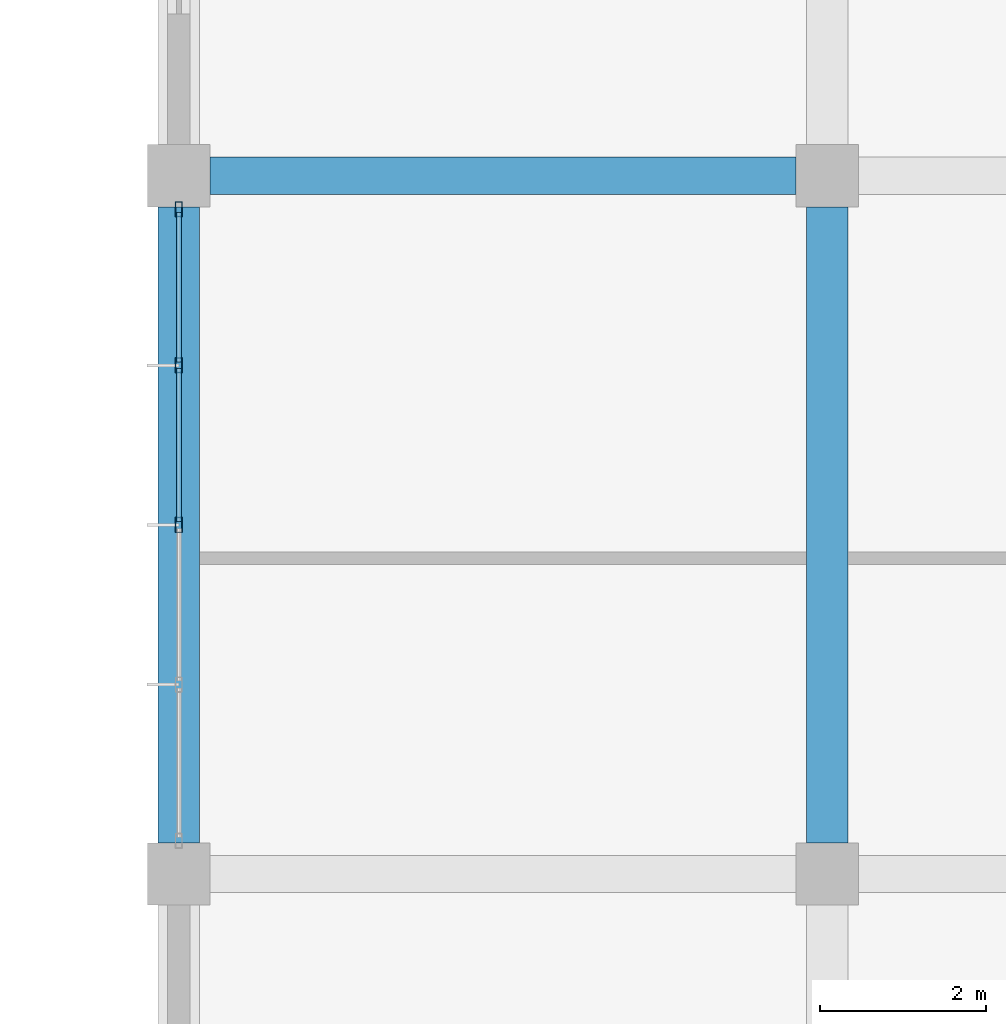
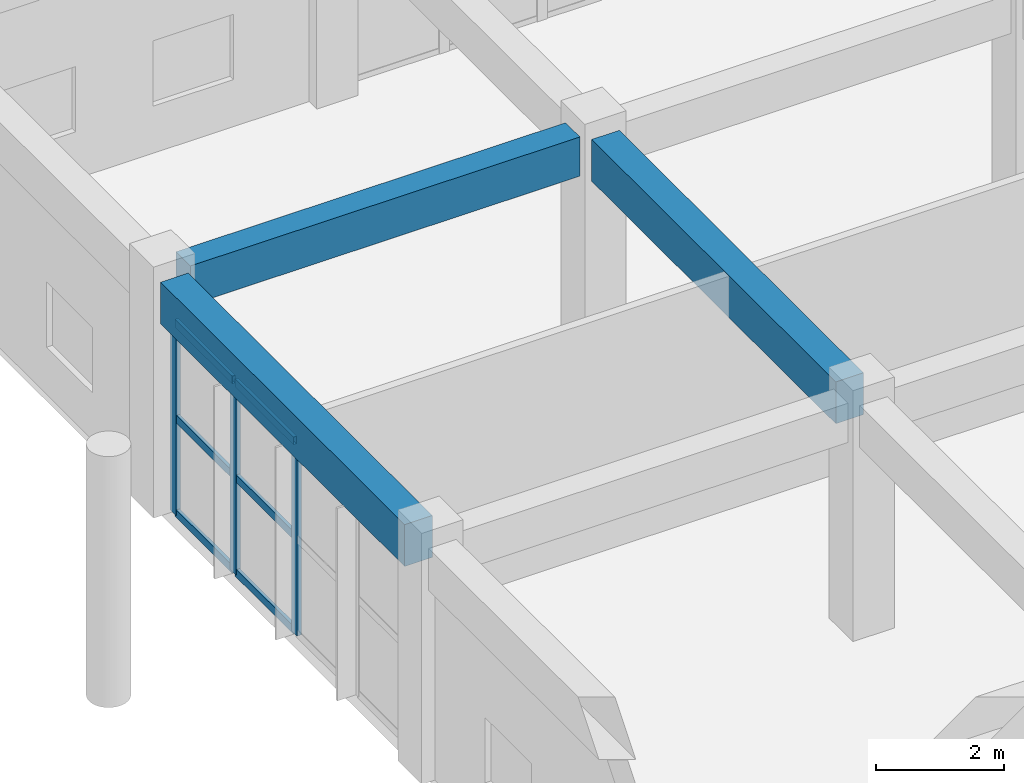
# One storey, part 70 of 175: 9 members, 3 beams, 1 element without a shape of its own.
"""IFC4 building model written with IfcOpenShell, lengths in metres."""

from ifc_helpers import new_model, si_unit, direction, frame, origin, origin_2d, place, context, subcontext, project, spatial, rectangle, hollow_rectangle, extrude, material, layer, layer_set, material_profile, profile_set, type_object, element, aggregate, save


model = new_model("IFC4")

# Units and contexts
model_context = context("Model", 3, precision=1e-05, world=origin(), true_north=direction((0.0, 1.0)))
body_context = subcontext(model_context, "Body", "Model", "MODEL_VIEW")
ifc_project = project(units=[si_unit("LENGTHUNIT", "METRE"), si_unit("AREAUNIT", "SQUARE_METRE"), si_unit("VOLUMEUNIT", "CUBIC_METRE"), si_unit("PLANEANGLEUNIT", "RADIAN"), si_unit("MASSUNIT", "GRAM", prefix="KILO")], contexts=[model_context])

# Site, building, storey
site_placement = place(None, origin())
site = spatial("IfcSite", under=ifc_project, at=site_placement, CompositionType="ELEMENT")
building_placement = place(site_placement, origin())
building = spatial("IfcBuilding", under=site, at=building_placement, Name="Zizhar Promenade General Hospital", CompositionType="ELEMENT")
storey_placement = place(building_placement, frame((0.0, 0.0, 4.800048828125)))
storey = spatial("IfcBuildingStorey", under=building, at=storey_placement, Name="L01", CompositionType="ELEMENT", Elevation=4.800048828125)

# Beams
ifc_material_1 = material(Name="Concrete C35/45", Category="concrete")
ifc_material_profile_1 = material_profile(ifc_material_1, rectangle(XDim=0.449951171875, YDim=0.75, at=origin_2d()))
ifc_profile_set_1 = profile_set([ifc_material_profile_1], Name="Concrete C35/45")
beam_type_1 = type_object("IfcBeamType", Name="BM-RC-450x750", PredefinedType="BEAM", material=ifc_profile_set_1)
beam_placement = place(storey_placement, frame((47.175048828125, 126.0, 4.094970703125), z_axis=(1.0, 0.0, 0.0), x_axis=(0.0, 1.0, 0.0)))
element("IfcBeam", 1, at=beam_placement, inside=storey, type_object=beam_type_1, Name="Grid Beam X L01 (6-15)", PredefinedType="BEAM", context=body_context, shape_type="SweptSolid", body=[
    extrude(rectangle(XDim=0.449951171875, YDim=0.75, at=origin_2d()), origin(), (0.0, 0.0, 1.0), 7.050048828125),
])
ifc_material_2 = material(Name="Concrete C35/45", Category="concrete")
ifc_material_profile_2 = material_profile(ifc_material_2, rectangle(XDim=0.5, YDim=0.800048828125, at=origin_2d()))
ifc_profile_set_2 = profile_set([ifc_material_profile_2], Name="Concrete C35/45")
beam_type_2 = type_object("IfcBeamType", Name="BM-RC-500x800", PredefinedType="BEAM", material=ifc_profile_set_2)
for number, where, z_axis, x_axis, name in (
    (2, (46.800048828125, 117.97509765625, 4.070068359375), (0.0, 1.0, 0.0), (-1.0, 0.0, 0.0), "Grid Beam Y L01 (6-14)"),
    (3, (54.60009765625, 117.97509765625, 4.070068359375), (0.0, 1.0, 0.0), (-1.0, 0.0, 0.0), "Grid Beam Y L01 (7-14)"),
):
    element("IfcBeam", number, at=place(storey_placement, frame(where, z_axis=z_axis, x_axis=x_axis)), inside=storey, type_object=beam_type_2, Name=name, PredefinedType="BEAM", context=body_context, shape_type="SweptSolid", body=[
        extrude(rectangle(XDim=0.5, YDim=0.800048828125, at=origin_2d()), origin(), (0.0, 0.0, 1.0), 7.64990234375),
    ])

# Curtain wall, members
ifc_material_3 = material(Name="Anodised aluminium 6063-T6 and low-E glass", Category="aluminium")
ifc_layer = layer(ifc_material_3, 0.159912109375)
ifc_layer_set = layer_set([ifc_layer], Name="Anodised aluminium 6063-T6 and low-E glass")
curtain_wall_type = type_object("IfcCurtainWallType", Name="CW-DT-MOD1", PredefinedType="NOTDEFINED", material=ifc_layer_set)
curtain_wall_placement = place(storey_placement, origin())
curtain_wall = element("IfcCurtainWall", 4, at=curtain_wall_placement, inside=storey, type_object=curtain_wall_type, Name="Surgical West Glazed Curtain Wall L01-14", PredefinedType="NOTDEFINED")
ifc_material_4 = material(Name="Anodised aluminium 6063-T6", Category="aluminium")
ifc_material_profile_3 = material_profile(ifc_material_4, hollow_rectangle(XDim=0.080078125, YDim=0.179931640625, WallThickness=0.0048828125, at=origin_2d()))
ifc_profile_set_3 = profile_set([ifc_material_profile_3], Name="Anodised aluminium 6063-T6")
member_type_1 = type_object("IfcMemberType", Name="CWM-ALU-180x80", PredefinedType="MULLION", material=ifc_profile_set_3)
member_1_placement = place(storey_placement, frame((46.800048828125, 121.800048828125, 0.0), z_axis=(0.0, 0.0, 1.0), x_axis=(-1.0, 0.0, 0.0)))
member_1 = element("IfcMember", 5, at=member_1_placement, type_object=member_type_1, Name="CW-07 mullion 3", PredefinedType="MULLION", context=body_context, shape_type="SweptSolid", body=[
    extrude(hollow_rectangle(XDim=0.080078125, YDim=0.179931640625, WallThickness=0.0048828125, at=origin_2d()), origin(), (0.0, 0.0, 1.0), 3.679931640625),
])
member_2_placement = place(storey_placement, frame((46.800048828125, 123.719970703125, 0.0), z_axis=(0.0, 0.0, 1.0), x_axis=(-1.0, 0.0, 0.0)))
member_2 = element("IfcMember", 6, at=member_2_placement, type_object=member_type_1, Name="CW-07 mullion 4", PredefinedType="MULLION", context=body_context, shape_type="SweptSolid", body=[
    extrude(hollow_rectangle(XDim=0.080078125, YDim=0.179931640625, WallThickness=0.0048828125, at=origin_2d()), origin(), (0.0, 0.0, 1.0), 3.679931640625),
])
member_3_placement = place(storey_placement, frame((46.800048828125, 125.60009765625, 0.0), z_axis=(0.0, 0.0, 1.0), x_axis=(-1.0, 0.0, 0.0)))
member_3 = element("IfcMember", 7, at=member_3_placement, type_object=member_type_1, Name="CW-07 mullion 5", PredefinedType="MULLION", context=body_context, shape_type="SweptSolid", body=[
    extrude(hollow_rectangle(XDim=0.080078125, YDim=0.179931640625, WallThickness=0.0048828125, at=origin_2d()), origin(), (0.0, 0.0, 1.0), 3.679931640625),
])
ifc_material_5 = material(Name="Anodised aluminium 6063-T6", Category="aluminium")
ifc_material_profile_4 = material_profile(ifc_material_5, hollow_rectangle(XDim=0.06005859375, YDim=0.14990234375, WallThickness=0.00390625, at=origin_2d()))
ifc_profile_set_4 = profile_set([ifc_material_profile_4], Name="Anodised aluminium 6063-T6")
member_type_2 = type_object("IfcMemberType", Name="CWT-ALU-150x60", PredefinedType="USERDEFINED", material=ifc_profile_set_4)
member_4_placement = place(storey_placement, frame((46.800048828125, 121.840087890625, 0.030029296875), z_axis=(0.0, 1.0, 0.0), x_axis=(-1.0, 0.0, 0.0)))
member_4 = element("IfcMember", 8, at=member_4_placement, type_object=member_type_2, Name="CW-07 transom 3.1", ObjectType="TRANSOM", PredefinedType="USERDEFINED", context=body_context, shape_type="SweptSolid", body=[
    extrude(hollow_rectangle(XDim=0.06005859375, YDim=0.14990234375, WallThickness=0.00390625, at=origin_2d()), origin(), (0.0, 0.0, 1.0), 1.83984375),
])
member_5_placement = place(storey_placement, frame((46.800048828125, 121.840087890625, 1.83984375), z_axis=(0.0, 1.0, 0.0), x_axis=(-1.0, 0.0, 0.0)))
member_5 = element("IfcMember", 9, at=member_5_placement, type_object=member_type_2, Name="CW-07 transom 3.2", ObjectType="TRANSOM", PredefinedType="USERDEFINED", context=body_context, shape_type="SweptSolid", body=[
    extrude(hollow_rectangle(XDim=0.06005859375, YDim=0.14990234375, WallThickness=0.00390625, at=origin_2d()), origin(), (0.0, 0.0, 1.0), 1.83984375),
])
member_6_placement = place(storey_placement, frame((46.800048828125, 121.840087890625, 3.64990234375), z_axis=(0.0, 1.0, 0.0), x_axis=(-1.0, 0.0, 0.0)))
member_6 = element("IfcMember", 10, at=member_6_placement, type_object=member_type_2, Name="CW-07 transom 3.3", ObjectType="TRANSOM", PredefinedType="USERDEFINED", context=body_context, shape_type="SweptSolid", body=[
    extrude(hollow_rectangle(XDim=0.06005859375, YDim=0.14990234375, WallThickness=0.00390625, at=origin_2d()), origin(), (0.0, 0.0, 1.0), 1.83984375),
])
member_7_placement = place(storey_placement, frame((46.800048828125, 123.760009765625, 0.030029296875), z_axis=(0.0, 1.0, 0.0), x_axis=(-1.0, 0.0, 0.0)))
member_7 = element("IfcMember", 11, at=member_7_placement, type_object=member_type_2, Name="CW-07 transom 4.1", ObjectType="TRANSOM", PredefinedType="USERDEFINED", context=body_context, shape_type="SweptSolid", body=[
    extrude(hollow_rectangle(XDim=0.06005859375, YDim=0.14990234375, WallThickness=0.00390625, at=origin_2d()), origin(), (0.0, 0.0, 1.0), 1.800048828125),
])
member_8_placement = place(storey_placement, frame((46.800048828125, 123.760009765625, 1.83984375), z_axis=(0.0, 1.0, 0.0), x_axis=(-1.0, 0.0, 0.0)))
member_8 = element("IfcMember", 12, at=member_8_placement, type_object=member_type_2, Name="CW-07 transom 4.2", ObjectType="TRANSOM", PredefinedType="USERDEFINED", context=body_context, shape_type="SweptSolid", body=[
    extrude(hollow_rectangle(XDim=0.06005859375, YDim=0.14990234375, WallThickness=0.00390625, at=origin_2d()), origin(), (0.0, 0.0, 1.0), 1.800048828125),
])
member_9_placement = place(storey_placement, frame((46.800048828125, 123.760009765625, 3.64990234375), z_axis=(0.0, 1.0, 0.0), x_axis=(-1.0, 0.0, 0.0)))
member_9 = element("IfcMember", 13, at=member_9_placement, type_object=member_type_2, Name="CW-07 transom 4.3", ObjectType="TRANSOM", PredefinedType="USERDEFINED", context=body_context, shape_type="SweptSolid", body=[
    extrude(hollow_rectangle(XDim=0.06005859375, YDim=0.14990234375, WallThickness=0.00390625, at=origin_2d()), origin(), (0.0, 0.0, 1.0), 1.800048828125),
])
aggregate(curtain_wall, [member_1, member_2, member_3, member_4, member_5, member_6, member_7, member_8, member_9])

save(model, "model.ifc")
